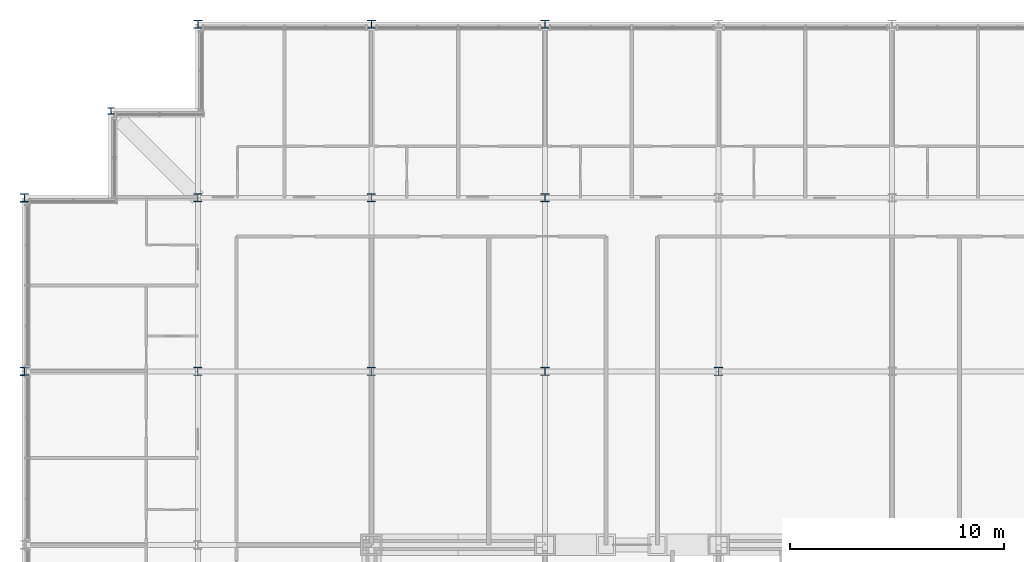
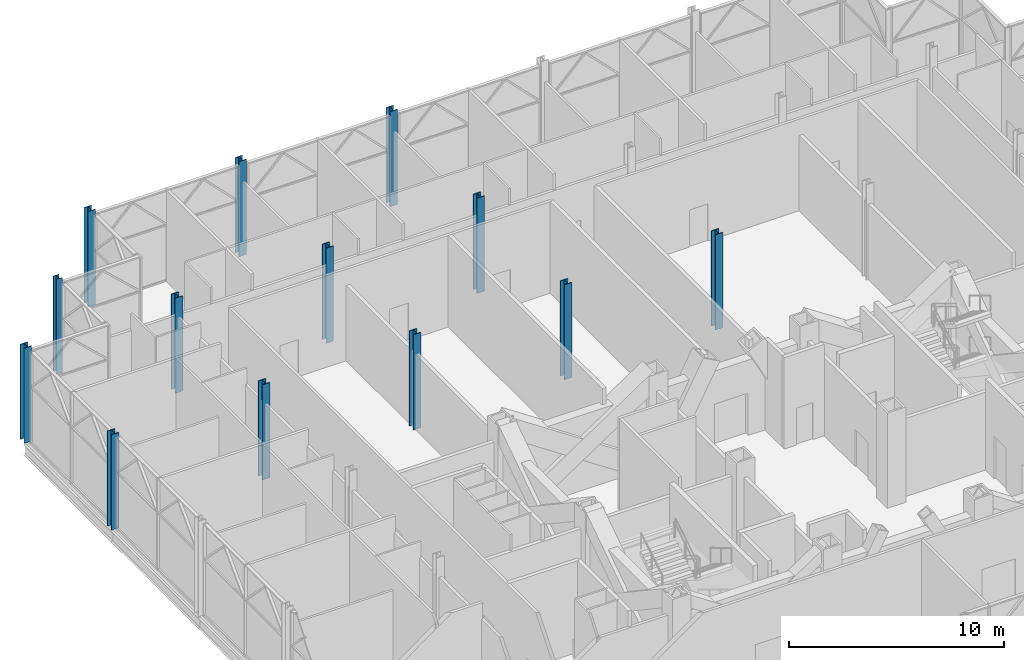
# One storey, part 3 of 26: 13 columns.
"""IFC4 building model written with IfcOpenShell, lengths in metres."""

import ifcopenshell
import ifcopenshell.guid

model = None  # the IFC model being written
_history = None  # IfcOwnerHistory: only IFC2X3 demands one
_inside = {}  # id of a spatial element -> (the spatial element, [elements in it])
_under = {}  # id of a project, library or spatial element -> (it, [spatial elements below it])
_declared = {}  # id of a project -> (the project, [libraries it declares])
_typed = {}  # id of a type object -> (the type object, [elements of that type])
_made_of = {}  # id of a material, layer set ... -> (it, [elements and type objects made of it])


def new_model(schema):
    """Start an empty IFC model of exactly this schema.

    Asked for "IFC4X3", IfcOpenShell would pick the latest addendum, in which some entities
    have other attributes; the version numbers below select the first issue.
    IFC2X3 requires an IfcOwnerHistory on every rooted entity: one is made here for all.
    """
    global model, _history
    if schema == "IFC4X3":
        model = ifcopenshell.file(schema_version=(4, 3, 0, 0))
    else:
        model = ifcopenshell.file(schema=schema)
    _inside.clear()
    _under.clear()
    _declared.clear()
    _typed.clear()
    _made_of.clear()
    _history = None
    if model.schema == "IFC2X3":
        org = make("IfcOrganization", Name="unknown")
        user = make(
            "IfcPersonAndOrganization",
            ThePerson=make("IfcPerson", FamilyName="unknown"),
            TheOrganization=org,
        )
        app = make(
            "IfcApplication",
            ApplicationDeveloper=org,
            Version="unknown",
            ApplicationFullName="unknown",
            ApplicationIdentifier="unknown",
        )
        _history = make(
            "IfcOwnerHistory",
            OwningUser=user,
            OwningApplication=app,
            ChangeAction="ADDED",
            CreationDate=0,
        )
    return model


def make(cls, **values):
    """One entity of the class cls with the attributes given. An attribute that is None is left unset."""
    return model.create_entity(
        cls, **{name: value for name, value in values.items() if value is not None}
    )


def rooted(cls, **values):
    """An entity with a GlobalId (a new one), such as an element, a storey or a relation."""
    return make(cls, GlobalId=ifcopenshell.guid.new(), OwnerHistory=_history, **values)


def si_unit(unit_type, name, prefix=None):
    """IfcSIUnit, for example si_unit("LENGTHUNIT", "METRE", prefix="MILLI")."""
    return make("IfcSIUnit", UnitType=unit_type, Prefix=prefix, Name=name)


def assignment(units):
    """IfcUnitAssignment: the units of a project."""
    return None if units is None else make("IfcUnitAssignment", Units=units)


def point(xyz):
    """IfcCartesianPoint."""
    return None if xyz is None else make("IfcCartesianPoint", Coordinates=xyz)


def direction(xyz):
    """IfcDirection."""
    return None if xyz is None else make("IfcDirection", DirectionRatios=xyz)


def frame(location, z_axis=None, x_axis=None):
    """IfcAxis2Placement3D, a coordinate frame: its origin and axes. An axis left out is left unset."""
    return make(
        "IfcAxis2Placement3D",
        Location=point(location),
        Axis=direction(z_axis),
        RefDirection=direction(x_axis),
    )


def frame_2d(location, x_axis=None):
    """IfcAxis2Placement2D, a coordinate frame in the plane: its origin and x axis."""
    return make(
        "IfcAxis2Placement2D", Location=point(location), RefDirection=direction(x_axis)
    )


def origin():
    """The frame at (0, 0, 0) with its axes left unset."""
    return frame((0.0, 0.0, 0.0))


def origin_2d():
    """The frame at (0, 0) in the plane with its x axis left unset."""
    return frame_2d((0.0, 0.0))


def place(relative_to, where):
    """IfcLocalPlacement: puts the frame where relative to a parent placement (None: the world)."""
    return make(
        "IfcLocalPlacement", PlacementRelTo=relative_to, RelativePlacement=where
    )


def context(
    kind, dimensions, precision=None, world=None, true_north=None, identifier=None
):
    """IfcGeometricRepresentationContext, for example the 3D "Model" context."""
    return make(
        "IfcGeometricRepresentationContext",
        ContextIdentifier=identifier,
        ContextType=kind,
        CoordinateSpaceDimension=dimensions,
        Precision=precision,
        WorldCoordinateSystem=world,
        TrueNorth=true_north,
    )


def subcontext(parent, identifier, kind, view, scale=None):
    """IfcGeometricRepresentationSubContext, for example "Body" below "Model"."""
    return make(
        "IfcGeometricRepresentationSubContext",
        ContextIdentifier=identifier,
        ContextType=kind,
        ParentContext=parent,
        TargetScale=scale,
        TargetView=view,
    )


def project(units=None, contexts=None):
    """IfcProject with its units and contexts."""
    return rooted(
        "IfcProject",
        Name="project",
        RepresentationContexts=contexts,
        UnitsInContext=assignment(units),
    )


def spatial(cls, under=None, at=None, **own):
    """A site, building, storey or space (cls), placed at a placement, below another one or the project."""
    s = rooted(cls, ObjectPlacement=at, **own)
    if under is not None:
        _under.setdefault(under.id(), (under, []))[1].append(s)
    return s


def profile(cls, at=None, kind="AREA", **sizes):
    """A parametric profile (cls). Its sizes go by their IFC names, for example OverallWidth=200.0."""
    return make(cls, ProfileType=kind, Position=at, **sizes)


def i_section(**sizes):
    """IfcIShapeProfileDef."""
    return profile("IfcIShapeProfileDef", **sizes)


def extrude(swept, where, along, depth):
    """IfcExtrudedAreaSolid: the profile swept, set in the frame where, extruded along a direction by depth."""
    return make(
        "IfcExtrudedAreaSolid",
        SweptArea=swept,
        Position=where,
        ExtrudedDirection=direction(along),
        Depth=depth,
    )


def shape(context_of_items, identifier, shape_type, items):
    """IfcShapeRepresentation: the items that make up one representation, for example the "Body"."""
    return make(
        "IfcShapeRepresentation",
        ContextOfItems=context_of_items,
        RepresentationIdentifier=identifier,
        RepresentationType=shape_type,
        Items=items,
    )


def material(Name=None, Category=None):
    """IfcMaterial."""
    return make("IfcMaterial", Name=Name, Category=Category)


def material_profile(
    of_material, cross_section, Name=None, Category=None, Priority=None
):
    """IfcMaterialProfile: a cross section and its material."""
    return make(
        "IfcMaterialProfile",
        Name=Name,
        Material=of_material,
        Profile=cross_section,
        Priority=Priority,
        Category=Category,
    )


def profile_set(profiles, Name=None, composite=None):
    """IfcMaterialProfileSet."""
    return make(
        "IfcMaterialProfileSet",
        Name=Name,
        MaterialProfiles=profiles,
        CompositeProfile=composite,
    )


def made_of(thing, what):
    """Note that an element or type object is made of a material, layer set ...; save() writes the relation."""
    if what is not None:
        _made_of.setdefault(what.id(), (what, []))[1].append(thing)
    return thing


def type_object(cls, material=None, **own):
    """A type object (cls), such as IfcWallType, which elements share."""
    return made_of(rooted(cls, **own), material)


def element(
    cls,
    number,
    at=None,
    inside=None,
    cuts=None,
    type_object=None,
    material=None,
    context=None,
    identifier="Body",
    shape_type=None,
    held_by="IfcProductDefinitionShape",
    body=None,
    shapes=None,
    **own,
):
    """One element of the class cls, such as IfcWall. Its Tag is "e" and its number.

    at: its placement. inside: the storey or other place that contains it. cuts: it is an
    opening in that element (IfcRelVoidsElement). A single representation is given by context,
    identifier, shape_type and body (its items); several are given by shapes. held_by: the class
    of the entity that holds the representations. save() writes the other relations.
    """
    e = rooted(cls, Tag="e%d" % number, ObjectPlacement=at, **own)
    if body is not None:
        shapes = [shape(context, identifier, shape_type, body)]
    if shapes is not None:
        e.Representation = make(held_by, Representations=shapes)
    if inside is not None:
        _inside.setdefault(inside.id(), (inside, []))[1].append(e)
    if cuts is not None:
        rooted(
            "IfcRelVoidsElement", RelatingBuildingElement=cuts, RelatedOpeningElement=e
        )
    if type_object is not None:
        _typed.setdefault(type_object.id(), (type_object, []))[1].append(e)
    return made_of(e, material)


def aggregate(whole, parts):
    """IfcRelAggregates: a whole, such as a stair, and the parts it consists of."""
    return rooted("IfcRelAggregates", RelatingObject=whole, RelatedObjects=parts)


def save(model, path):
    """Write the relations noted so far, then the file.

    IfcRelAggregates (storeys below a building ...), IfcRelContainedInSpatialStructure (elements
    in a storey), IfcRelDefinesByType, IfcRelAssociatesMaterial and IfcRelDeclares: one each for
    every whole, place, type object, material and project.
    """
    for whole, parts in _under.values():
        aggregate(whole, parts)
    for where, things in _inside.values():
        rooted(
            "IfcRelContainedInSpatialStructure",
            RelatedElements=things,
            RelatingStructure=where,
        )
    for kind, things in _typed.values():
        rooted("IfcRelDefinesByType", RelatedObjects=things, RelatingType=kind)
    for what, things in _made_of.values():
        rooted("IfcRelAssociatesMaterial", RelatedObjects=things, RelatingMaterial=what)
    for by, libraries in _declared.values():
        rooted("IfcRelDeclares", RelatingContext=by, RelatedDefinitions=libraries)
    model.write(path)


model = new_model("IFC4")

# Units and contexts
model_context = context("Model", 3, precision=1e-05, world=origin(), true_north=direction((0.0, 1.0)))
body_context = subcontext(model_context, "Body", "Model", "MODEL_VIEW")
ifc_project = project(units=[si_unit("LENGTHUNIT", "METRE"), si_unit("AREAUNIT", "SQUARE_METRE"), si_unit("VOLUMEUNIT", "CUBIC_METRE"), si_unit("PLANEANGLEUNIT", "RADIAN"), si_unit("MASSUNIT", "GRAM", prefix="KILO")], contexts=[model_context])

# Site, building, storey
site_placement = place(None, origin())
site = spatial("IfcSite", under=ifc_project, at=site_placement, CompositionType="ELEMENT")
building_placement = place(site_placement, origin())
building = spatial("IfcBuilding", under=site, at=building_placement, Name="Kopane Lantern Tower", CompositionType="ELEMENT")
storey_placement = place(building_placement, frame((0.0, 0.0, 293.10009765625)))
storey = spatial("IfcBuildingStorey", under=building, at=storey_placement, Name="L75", CompositionType="ELEMENT", Elevation=293.10009765625)

# Columns
ifc_material_1 = material(Name="Steel S355JR", Category="steel")
ifc_material_profile_1 = material_profile(ifc_material_1, i_section(OverallWidth=0.307373046875, OverallDepth=0.314453125, WebThickness=0.011962890625, FlangeThickness=0.018798828125, FilletRadius=0.01513671875, at=origin_2d()), Name="UC 305x305x118")
ifc_profile_set_1 = profile_set([ifc_material_profile_1], Name="Steel S355JR")
column_type_1 = type_object("IfcColumnType", Name="COLUMN UC 305x305x118", PredefinedType="COLUMN", material=ifc_profile_set_1)
column_placement = place(storey_placement, frame((4.050048828125, 60.75, 0.0), z_axis=(0.0, 0.0, 1.0), x_axis=(1.0, 0.0, 0.0)))
element("IfcColumn", 1, at=column_placement, inside=storey, type_object=column_type_1, Name="Column 4.05/60.75 L75", PredefinedType="COLUMN", context=body_context, shape_type="SweptSolid", body=[
    extrude(i_section(OverallWidth=0.307373046875, OverallDepth=0.314453125, WebThickness=0.011962890625, FlangeThickness=0.018798828125, FilletRadius=0.01513671875, at=origin_2d()), origin(), (0.0, 0.0, 1.0), 5.39990234375),
])
ifc_material_2 = material(Name="Steel S355JR", Category="steel")
ifc_material_profile_2 = material_profile(ifc_material_2, i_section(OverallWidth=0.39892578125, OverallDepth=0.3935546875, WebThickness=0.022705078125, FlangeThickness=0.03662109375, FilletRadius=0.01513671875, at=origin_2d()), Name="UC 356x406x287")
ifc_profile_set_2 = profile_set([ifc_material_profile_2], Name="Steel S355JR")
column_type_2 = type_object("IfcColumnType", Name="COLUMN UC 356x406x287", PredefinedType="COLUMN", material=ifc_profile_set_2)
for number, where, z_axis, x_axis, name in (
    (2, (0.0, 48.60009765625, 0.0), (0.0, 0.0, 1.0), (1.0, 0.0, 0.0), "Column 2/H L75"),
    (3, (0.0, 56.699951171875, 0.0), (0.0, 0.0, 1.0), (1.0, 0.0, 0.0), "Column 2/J L75"),
    (4, (8.10009765625, 64.800048828125, 0.0), (0.0, 0.0, 1.0), (1.0, 0.0, 0.0), "Column 3/K L75"),
    (5, (16.199951171875, 64.800048828125, 0.0), (0.0, 0.0, 1.0), (1.0, 0.0, 0.0), "Column 4/K L75"),
    (6, (24.300048828125, 64.800048828125, 0.0), (0.0, 0.0, 1.0), (1.0, 0.0, 0.0), "Column 5/K L75"),
):
    element("IfcColumn", number, at=place(storey_placement, frame(where, z_axis=z_axis, x_axis=x_axis)), inside=storey, type_object=column_type_2, Name=name, PredefinedType="COLUMN", context=body_context, shape_type="SweptSolid", body=[
        extrude(i_section(OverallWidth=0.39892578125, OverallDepth=0.3935546875, WebThickness=0.022705078125, FlangeThickness=0.03662109375, FilletRadius=0.01513671875, at=origin_2d()), origin(), (0.0, 0.0, 1.0), 5.39990234375),
    ])
ifc_material_3 = material(Name="Steel S355JR", Category="steel")
ifc_material_profile_3 = material_profile(ifc_material_3, i_section(OverallWidth=0.403076171875, OverallDepth=0.406494140625, WebThickness=0.026611328125, FlangeThickness=0.04296875, FilletRadius=0.01513671875, at=origin_2d()), Name="UC 356x406x340")
ifc_profile_set_3 = profile_set([ifc_material_profile_3], Name="Steel S355JR")
column_type_3 = type_object("IfcColumnType", Name="COLUMN UC 356x406x340", PredefinedType="COLUMN", material=ifc_profile_set_3)
for number, where, z_axis, x_axis, name in (
    (7, (8.10009765625, 48.60009765625, 0.0), (0.0, 0.0, 1.0), (1.0, 0.0, 0.0), "Column 3/H L75"),
    (8, (8.10009765625, 56.699951171875, 0.0), (0.0, 0.0, 1.0), (1.0, 0.0, 0.0), "Column 3/J L75"),
    (9, (16.199951171875, 48.60009765625, 0.0), (0.0, 0.0, 1.0), (1.0, 0.0, 0.0), "Column 4/H L75"),
    (10, (16.199951171875, 56.699951171875, 0.0), (0.0, 0.0, 1.0), (1.0, 0.0, 0.0), "Column 4/J L75"),
    (11, (24.300048828125, 48.60009765625, 0.0), (0.0, 0.0, 1.0), (1.0, 0.0, 0.0), "Column 5/H L75"),
    (12, (24.300048828125, 56.699951171875, 0.0), (0.0, 0.0, 1.0), (1.0, 0.0, 0.0), "Column 5/J L75"),
    (13, (32.39990234375, 48.60009765625, 0.0), (0.0, 0.0, 1.0), (1.0, 0.0, 0.0), "Column 6/H L75"),
):
    element("IfcColumn", number, at=place(storey_placement, frame(where, z_axis=z_axis, x_axis=x_axis)), inside=storey, type_object=column_type_3, Name=name, PredefinedType="COLUMN", context=body_context, shape_type="SweptSolid", body=[
        extrude(i_section(OverallWidth=0.403076171875, OverallDepth=0.406494140625, WebThickness=0.026611328125, FlangeThickness=0.04296875, FilletRadius=0.01513671875, at=origin_2d()), origin(), (0.0, 0.0, 1.0), 5.39990234375),
    ])

save(model, "model.ifc")
